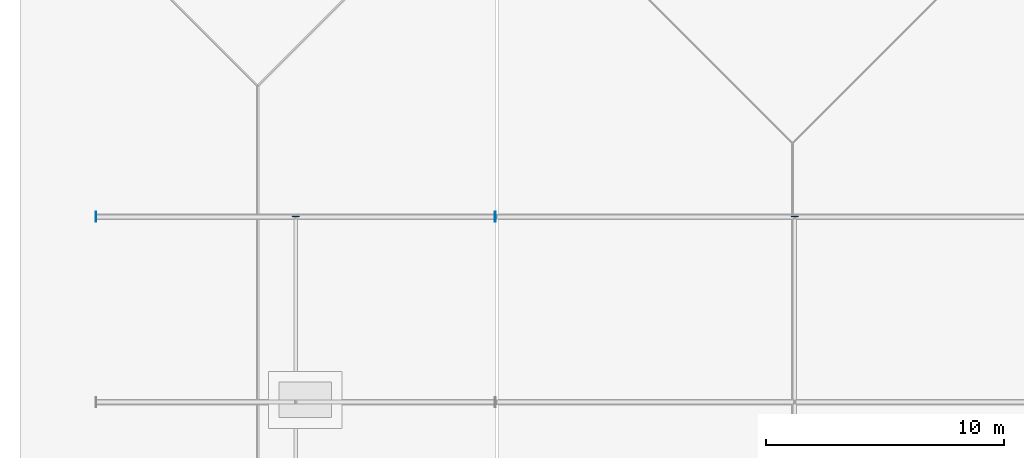
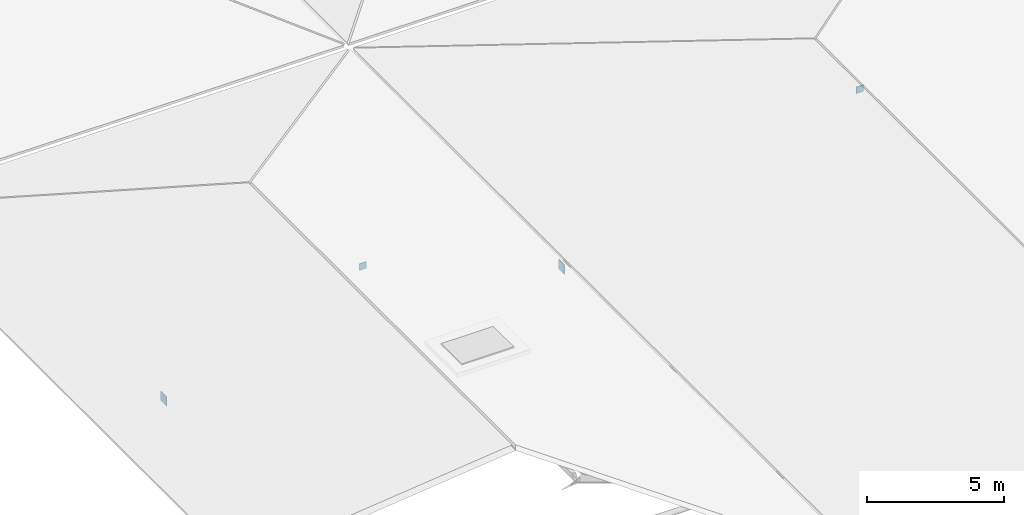
# One storey, part 21 of 41: 5 plates.
"""IFC4 building model written with IfcOpenShell, lengths in metres."""

from ifc_helpers import new_model, si_unit, direction, frame, origin, origin_2d, place, context, subcontext, project, spatial, rectangle, extrude, material, layer, layer_set, type_object, element, save


model = new_model("IFC4")

# Units and contexts
model_context = context("Model", 3, precision=1e-05, world=origin(), true_north=direction((0.0, 1.0)))
body_context = subcontext(model_context, "Body", "Model", "MODEL_VIEW")
ifc_project = project(units=[si_unit("LENGTHUNIT", "METRE"), si_unit("AREAUNIT", "SQUARE_METRE"), si_unit("VOLUMEUNIT", "CUBIC_METRE"), si_unit("PLANEANGLEUNIT", "RADIAN"), si_unit("MASSUNIT", "GRAM", prefix="KILO")], contexts=[model_context])

# Site, building, storey
site_placement = place(None, origin())
site = spatial("IfcSite", under=ifc_project, at=site_placement, CompositionType="ELEMENT")
building_placement = place(site_placement, origin())
building = spatial("IfcBuilding", under=site, at=building_placement, Name="Nabrawat Pavilion Hospital", CompositionType="ELEMENT")
storey_placement = place(building_placement, frame((0.0, 0.0, 18.89990234375)))
storey = spatial("IfcBuildingStorey", under=building, at=storey_placement, Name="L04", CompositionType="ELEMENT", Elevation=18.89990234375)

# Plates
ifc_material = material(Name="Steel S355", Category="steel")
ifc_layer_1 = layer(ifc_material, 0.030029296875, Name="Steel S355")
ifc_layer_set_1 = layer_set([ifc_layer_1], Name="Steel S355")
plate_type_1 = type_object("IfcPlateType", Name="Pavilion Splice Flange Plate 550x550x30", PredefinedType="USERDEFINED", material=ifc_layer_set_1)
for number, where, z_axis, x_axis, name in (
    (1, (25.199951171875, 70.215087890625, 2.4638671875), (0.0, 0.0, 1.0), (1.0, 0.0, 0.0), "Surgical West-South Pavilion Hollow Ridge Purlin End Cap Plate N"),
    (2, (46.199951171875, 70.215087890625, 3.01123046875), (0.0, 0.0, 1.0), (1.0, 0.0, 0.0), "Surgical East-South Pavilion Hollow Ridge Purlin End Cap Plate N"),
):
    element("IfcPlate", number, at=place(storey_placement, frame(where, z_axis=z_axis, x_axis=x_axis)), inside=storey, type_object=plate_type_1, Name=name, ObjectType="FLANGE PLATE", PredefinedType="USERDEFINED", context=body_context, shape_type="SweptSolid", body=[
        extrude(rectangle(XDim=0.300048828125, YDim=0.030029296875, at=origin_2d()), origin(), (0.0, 0.0, 1.0), 0.300048828125),
    ])
ifc_layer_2 = layer(ifc_material, 0.02001953125, Name="Steel S355")
ifc_layer_set_2 = layer_set([ifc_layer_2], Name="Steel S355")
plate_type_2 = type_object("IfcPlateType", Name="Space Frame Interior Gusset Node Plate 420x420x20", PredefinedType="USERDEFINED", material=ifc_layer_set_2)
for number, where, z_axis, x_axis, name in (
    (3, (16.7900390625, 70.199951171875, -0.559814453125), (0.0, 0.0, 1.0), (1.0, 0.0, 0.0), "Surgical West-South Pavilion Tie Chord End Cap Plate 03-W"),
    (4, (33.610107421875, 70.199951171875, -0.559814453125), (0.0, 0.0, 1.0), (1.0, 0.0, 0.0), "Surgical West-South Pavilion Tie Chord End Cap Plate 03-E"),
    (5, (33.590087890625, 70.199951171875, -0.559814453125), (0.0, 0.0, 1.0), (1.0, 0.0, 0.0), "Surgical East-South Pavilion Tie Chord End Cap Plate 03-W"),
):
    element("IfcPlate", number, at=place(storey_placement, frame(where, z_axis=z_axis, x_axis=x_axis)), inside=storey, type_object=plate_type_2, Name=name, ObjectType="GUSSET PLATE", PredefinedType="USERDEFINED", context=body_context, shape_type="SweptSolid", body=[
        extrude(rectangle(XDim=0.02001953125, YDim=0.419921875, at=origin_2d()), origin(), (0.0, 0.0, 1.0), 0.419921875),
    ])

save(model, "model.ifc")
